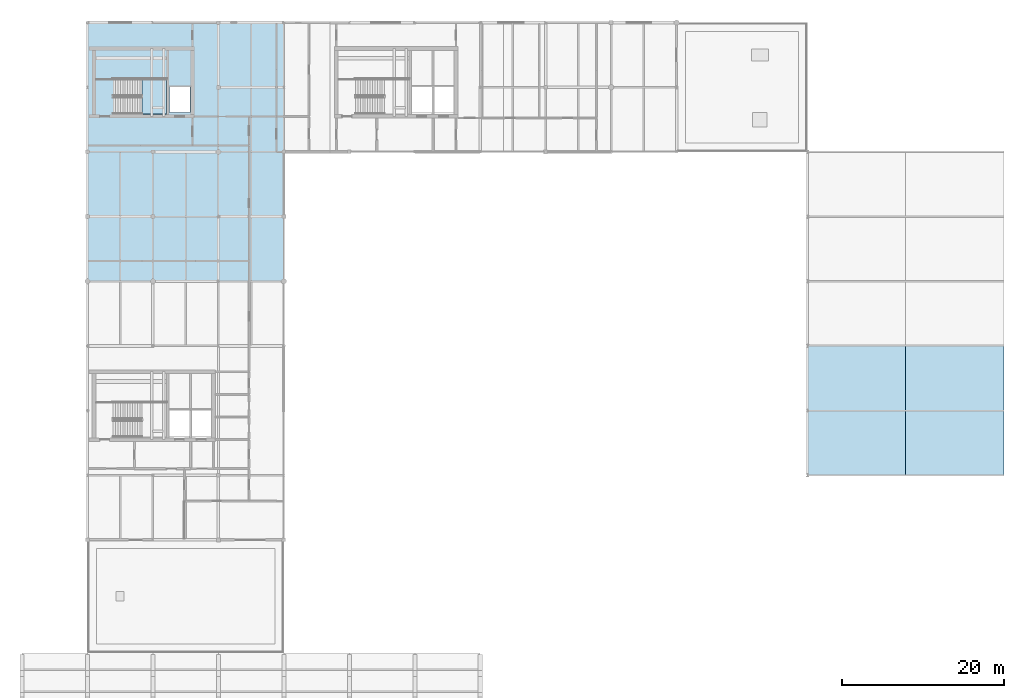
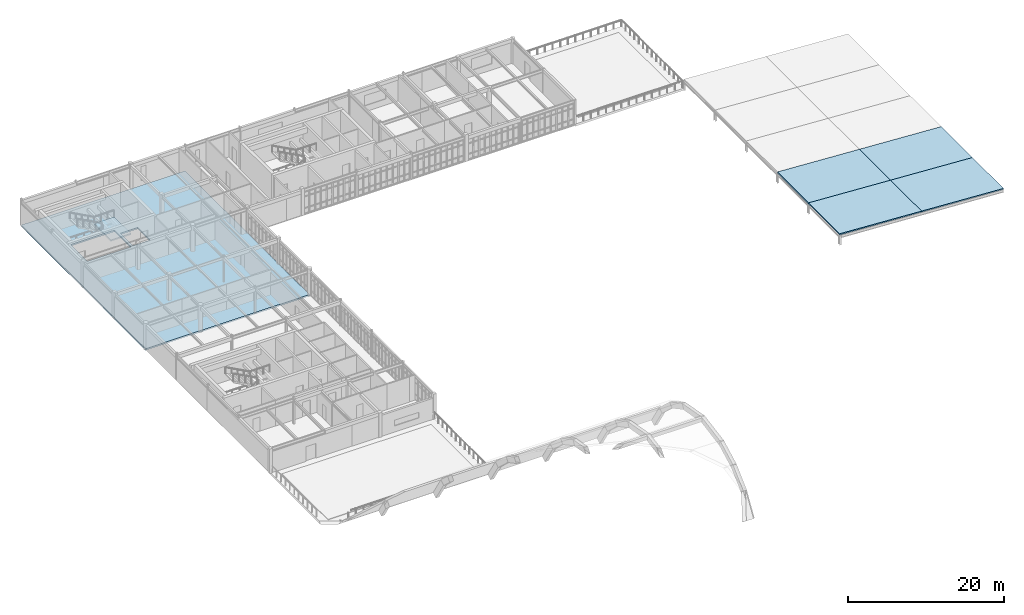
# One storey, part 24 of 36: 6 slabs, 1 element without a shape of its own.
"""IFC4 building model written with IfcOpenShell, lengths in metres."""

from ifc_helpers import new_model, si_unit, direction, frame, origin, place, context, subcontext, project, spatial, polyline, outline, extrude, material, layer, layer_set, type_object, element, aggregate, save


model = new_model("IFC4")

# Units and contexts
model_context = context("Model", 3, precision=1e-05, world=origin(), true_north=direction((0.0, 1.0)))
body_context = subcontext(model_context, "Body", "Model", "MODEL_VIEW")
ifc_project = project(units=[si_unit("LENGTHUNIT", "METRE"), si_unit("AREAUNIT", "SQUARE_METRE"), si_unit("VOLUMEUNIT", "CUBIC_METRE"), si_unit("PLANEANGLEUNIT", "RADIAN"), si_unit("MASSUNIT", "GRAM", prefix="KILO")], contexts=[model_context])

# Site, building, storey
site_placement = place(None, origin())
site = spatial("IfcSite", under=ifc_project, at=site_placement, CompositionType="ELEMENT")
building_placement = place(site_placement, origin())
building = spatial("IfcBuilding", under=site, at=building_placement, Name="Tarnveldt Square Police Headquarters", CompositionType="ELEMENT")
storey_placement = place(building_placement, frame((0.0, 0.0, 24.89990234375)))
storey = spatial("IfcBuildingStorey", under=building, at=storey_placement, Name="L05", CompositionType="ELEMENT", Elevation=24.89990234375)

# Stair, slab
ifc_material_1 = material(Name="Concrete 40 MPa", Category="concrete")
stair_type = type_object("IfcStairType", Name="STR-HT-48A", PredefinedType="HALF_TURN_STAIR", material=ifc_material_1)
stair_placement = place(storey_placement, origin())
stair = element("IfcStair", 1, at=stair_placement, inside=storey, type_object=stair_type, Name="L05 Core K2 Exit Stair ST2", PredefinedType="HALF_TURN_STAIR")
ifc_layer_1 = layer(ifc_material_1, 0.179931640625)
ifc_layer_set_1 = layer_set([ifc_layer_1], Name="Concrete 40 MPa")
slab_type_1 = type_object("IfcSlabType", Name="SL-LND-180", PredefinedType="LANDING", material=ifc_layer_set_1)
slab_1_placement = place(storey_placement, frame((0.0, 0.0, 1.900146484375)))
slab_1 = element("IfcSlab", 2, at=slab_1_placement, type_object=slab_type_1, Name="ST2 landing 1", PredefinedType="LANDING", context=body_context, shape_type="SweptSolid", body=[
    extrude(outline(polyline([(22.969970703125, 100.719970703125), (25.969970703125, 100.719970703125), (25.969970703125, 105.02001953125), (22.969970703125, 105.02001953125), (22.969970703125, 100.719970703125)])), origin(), (0.0, 0.0, 1.0), 0.199951171875),
])
aggregate(stair, [slab_1])

# Slabs
ifc_material_2 = material(Name="Precast concrete 35 MPa", Category="concrete")
ifc_layer_2 = layer(ifc_material_2, 0.18994140625)
ifc_layer_set_2 = layer_set([ifc_layer_2], Name="Precast concrete 35 MPa")
slab_type_2 = type_object("IfcSlabType", Name="SL-PITCH-190", PredefinedType="ROOF", material=ifc_layer_set_2)
slab_2_placement = place(storey_placement, frame((105.300048828125, 56.0, 1.400146484375), z_axis=(0.057514250957, 0.0, 0.998344685435), x_axis=(0.0, 1.0, 0.0)))
element("IfcSlab", 3, at=slab_2_placement, inside=storey, type_object=slab_type_2, Name="Tactical Block Pitched Roof 1.1", PredefinedType="ROOF", context=body_context, shape_type="SweptSolid", body=[
    extrude(outline(polyline([(0.0, 0.0), (8.0, 0.0), (8.0, -12.170047600797252), (0.0, -12.170047600797252), (0.0, 0.0)])), origin(), (0.0, 0.0, -1.0), 0.18994140625),
])
slab_3_placement = place(storey_placement, frame((117.449951171875, 56.0, 0.7001953125), z_axis=(0.057533093097, 0.0, 0.998343599769), x_axis=(0.0, 1.0, 0.0)))
element("IfcSlab", 4, at=slab_3_placement, inside=storey, type_object=slab_type_2, Name="Tactical Block Pitched Roof 1.2", PredefinedType="ROOF", context=body_context, shape_type="SweptSolid", body=[
    extrude(outline(polyline([(0.0, 0.0), (8.0, 0.0), (8.0, -12.170305381025456), (0.0, -12.170305381025456), (0.0, 0.0)])), origin(), (0.0, 0.0, -1.0), 0.18994140625),
])
slab_4_placement = place(storey_placement, frame((105.300048828125, 64.0, 1.400146484375), z_axis=(0.057514250957, 0.0, 0.998344685435), x_axis=(0.0, 1.0, 0.0)))
element("IfcSlab", 5, at=slab_4_placement, inside=storey, type_object=slab_type_2, Name="Tactical Block Pitched Roof 2.1", PredefinedType="ROOF", context=body_context, shape_type="SweptSolid", body=[
    extrude(outline(polyline([(0.0, 0.0), (8.0, 0.0), (8.0, -12.170047600797252), (0.0, -12.170047600797252), (0.0, 0.0)])), origin(), (0.0, 0.0, -1.0), 0.18994140625),
])
slab_5_placement = place(storey_placement, frame((117.449951171875, 64.0, 0.7001953125), z_axis=(0.057533093097, 0.0, 0.998343599769), x_axis=(0.0, 1.0, 0.0)))
element("IfcSlab", 6, at=slab_5_placement, inside=storey, type_object=slab_type_2, Name="Tactical Block Pitched Roof 2.2", PredefinedType="ROOF", context=body_context, shape_type="SweptSolid", body=[
    extrude(outline(polyline([(0.0, 0.0), (8.0, 0.0), (8.0, -12.170305381025456), (0.0, -12.170305381025456), (0.0, 0.0)])), origin(), (0.0, 0.0, -1.0), 0.18994140625),
])
ifc_layer_3 = layer(ifc_material_1, 0.239990234375)
ifc_layer_set_3 = layer_set([ifc_layer_3], Name="Concrete 40 MPa")
slab_type_3 = type_object("IfcSlabType", Name="SL-UPP-240", PredefinedType="FLOOR", material=ifc_layer_set_3)
slab_6_placement = place(storey_placement, frame((0.0, 0.0, -0.239990234375)))
element("IfcSlab", 7, at=slab_6_placement, inside=storey, type_object=slab_type_3, Name="L05 Structural Floor Slab L05-V5-2", PredefinedType="FLOOR", context=body_context, shape_type="SweptSolid", body=[
    extrude(outline(polyline([(40.5, 112.0), (40.5, 80.0), (16.199951171875, 80.0), (16.199951171875, 112.0), (40.5, 112.0)]), holes=[polyline([(26.330078125, 100.85009765625), (28.8798828125, 100.85009765625), (28.8798828125, 104.050048828125), (26.330078125, 104.050048828125), (26.330078125, 100.85009765625)]), polyline([(19.510009765625, 100.719970703125), (25.969970703125, 100.719970703125), (25.969970703125, 105.02001953125), (19.510009765625, 105.02001953125), (19.510009765625, 100.719970703125)])]), origin(), (0.0, 0.0, 1.0), 0.239990234375),
])

save(model, "model.ifc")
